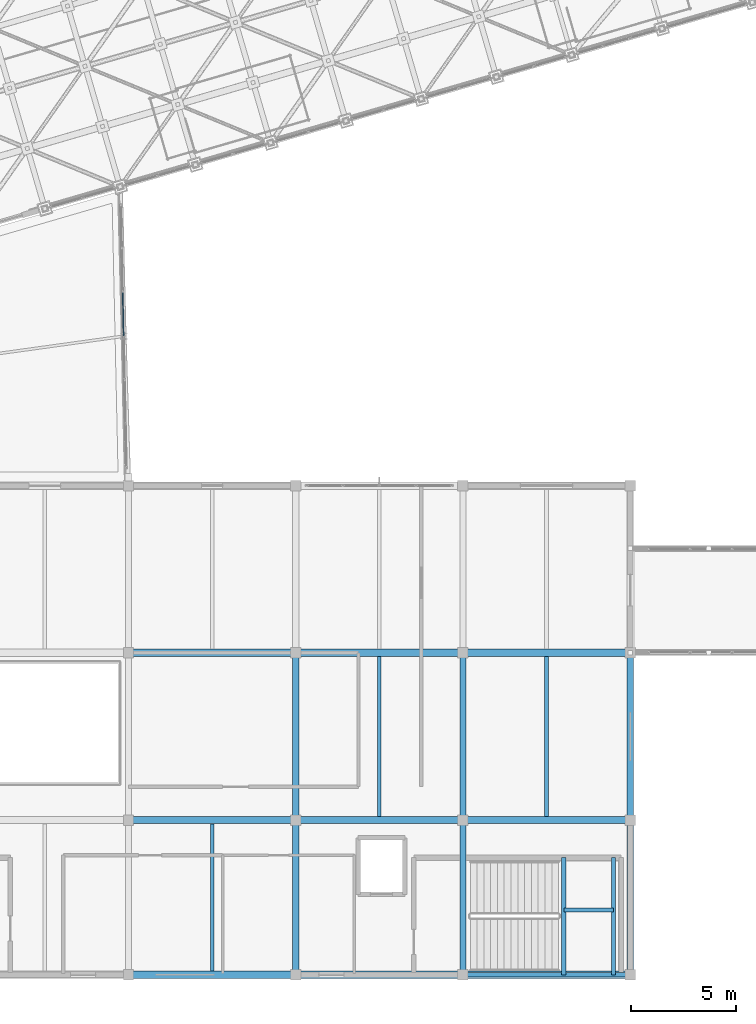
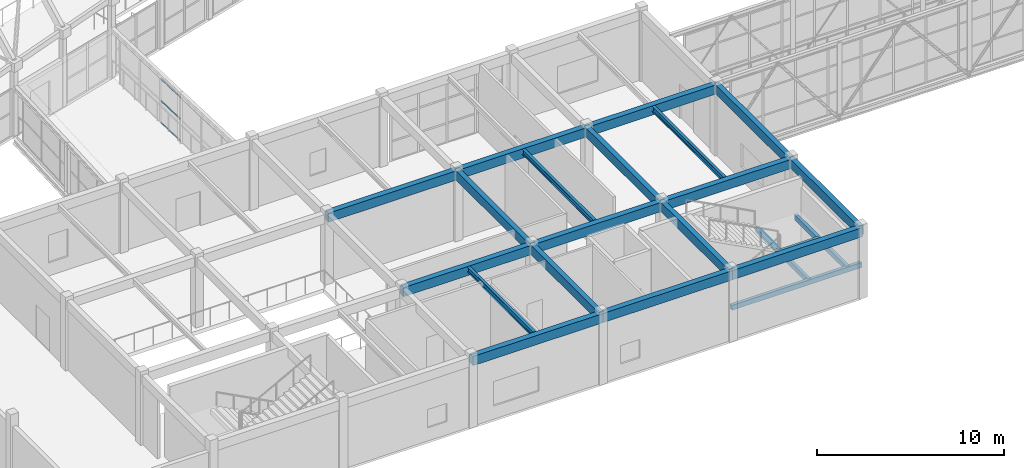
# One storey, part 22 of 248: 22 beams, 3 members, 1 element without a shape of its own.
"""IFC4 building model written with IfcOpenShell, lengths in metres."""

from ifc_helpers import new_model, si_unit, direction, frame, origin, origin_2d, place, context, subcontext, project, spatial, rectangle, hollow_rectangle, i_section, extrude, material, layer, layer_set, material_profile, profile_set, type_object, element, aggregate, save


model = new_model("IFC4")

# Units and contexts
model_context = context("Model", 3, precision=1e-05, world=origin(), true_north=direction((0.0, 1.0)))
body_context = subcontext(model_context, "Body", "Model", "MODEL_VIEW")
ifc_project = project(units=[si_unit("LENGTHUNIT", "METRE"), si_unit("AREAUNIT", "SQUARE_METRE"), si_unit("VOLUMEUNIT", "CUBIC_METRE"), si_unit("PLANEANGLEUNIT", "RADIAN"), si_unit("MASSUNIT", "GRAM", prefix="KILO")], contexts=[model_context])

# Site, building, storey
site_placement = place(None, origin())
site = spatial("IfcSite", under=ifc_project, at=site_placement, CompositionType="ELEMENT")
building_placement = place(site_placement, origin())
building = spatial("IfcBuilding", under=site, at=building_placement, Name="Canggui Botanical Conservatory", CompositionType="ELEMENT")
storey_placement = place(building_placement, frame((0.0, 0.0, 5.39990234375)))
storey = spatial("IfcBuildingStorey", under=building, at=storey_placement, Name="L02", CompositionType="ELEMENT", Elevation=5.39990234375)

# Beams
ifc_material_1 = material(Name="Steel Q355B", Category="steel")
ifc_material_profile_1 = material_profile(ifc_material_1, i_section(OverallWidth=0.175048828125, OverallDepth=0.35009765625, WebThickness=0.007080078125, FlangeThickness=0.010986328125, FilletRadius=0.013916015625, at=origin_2d()), Name="HN 350x175x7x11")
ifc_profile_set_1 = profile_set([ifc_material_profile_1], Name="Steel Q355B")
beam_type_1 = type_object("IfcBeamType", Name="BM-JST07", PredefinedType="JOIST", material=ifc_profile_set_1)
beam_1_placement = place(storey_placement, frame((46.0, 10.780029296875, 4.385009765625), z_axis=(0.0, 1.0, 0.0), x_axis=(-1.0, 0.0, 0.0)))
element("IfcBeam", 1, at=beam_1_placement, inside=storey, type_object=beam_type_1, Name="Visitor Composite Steel Joist L02-3-1", PredefinedType="JOIST", context=body_context, shape_type="SweptSolid", body=[
    extrude(i_section(OverallWidth=0.175048828125, OverallDepth=0.35009765625, WebThickness=0.007080078125, FlangeThickness=0.010986328125, FilletRadius=0.013916015625, at=origin_2d()), origin(), (0.0, 0.0, 1.0), 7.0400390625),
])
for number, where, z_axis, x_axis, name in (
    (2, (54.0, 18.179931640625, 4.385009765625), (0.0, 1.0, 0.0), (-1.0, 0.0, 0.0), "Visitor Composite Steel Joist L02-4-2"),
    (3, (62.0, 18.179931640625, 4.385009765625), (0.0, 1.0, 0.0), (-1.0, 0.0, 0.0), "Visitor Composite Steel Joist L02-5-2"),
):
    element("IfcBeam", number, at=place(storey_placement, frame(where, z_axis=z_axis, x_axis=x_axis)), inside=storey, type_object=beam_type_1, Name=name, PredefinedType="JOIST", context=body_context, shape_type="SweptSolid", body=[
        extrude(i_section(OverallWidth=0.175048828125, OverallDepth=0.35009765625, WebThickness=0.007080078125, FlangeThickness=0.010986328125, FilletRadius=0.013916015625, at=origin_2d()), origin(), (0.0, 0.0, 1.0), 7.64013671875),
    ])
ifc_material_2 = material(Name="Concrete C35", Category="concrete")
ifc_material_profile_2 = material_profile(ifc_material_2, rectangle(XDim=0.35009765625, YDim=0.60009765625, at=origin_2d()), Name="RB 350x600")
ifc_profile_set_2 = profile_set([ifc_material_profile_2], Name="Concrete C35")
beam_type_2 = type_object("IfcBeamType", Name="BM-KL19", PredefinedType="BEAM", material=ifc_profile_set_2)
for number, where, z_axis, x_axis, name in (
    (4, (42.0, 10.60009765625, 4.260009765625), (1.0, 0.0, 0.0), (0.0, 1.0, 0.0), "Visitor Girder L02 Y10-3"),
    (5, (50.0, 10.60009765625, 4.260009765625), (1.0, 0.0, 0.0), (0.0, 1.0, 0.0), "Visitor Girder L02 Y10-4"),
    (6, (58.0, 10.60009765625, 4.260009765625), (1.0, 0.0, 0.0), (0.0, 1.0, 0.0), "Visitor Girder L02 Y10-5"),
    (7, (42.0, 18.0, 4.260009765625), (1.0, 0.0, 0.0), (0.0, 1.0, 0.0), "Visitor Girder L02 Y18-3"),
    (8, (50.0, 18.0, 4.260009765625), (1.0, 0.0, 0.0), (0.0, 1.0, 0.0), "Visitor Girder L02 Y18-4"),
    (9, (58.0, 18.0, 4.260009765625), (1.0, 0.0, 0.0), (0.0, 1.0, 0.0), "Visitor Girder L02 Y18-5"),
    (10, (42.0, 26.0, 4.260009765625), (1.0, 0.0, 0.0), (0.0, 1.0, 0.0), "Visitor Girder L02 Y26-3"),
    (11, (50.0, 26.0, 4.260009765625), (1.0, 0.0, 0.0), (0.0, 1.0, 0.0), "Visitor Girder L02 Y26-4"),
    (12, (58.0, 26.0, 4.260009765625), (1.0, 0.0, 0.0), (0.0, 1.0, 0.0), "Visitor Girder L02 Y26-5"),
):
    element("IfcBeam", number, at=place(storey_placement, frame(where, z_axis=z_axis, x_axis=x_axis)), inside=storey, type_object=beam_type_2, Name=name, PredefinedType="BEAM", context=body_context, shape_type="SweptSolid", body=[
        extrude(rectangle(XDim=0.35009765625, YDim=0.60009765625, at=origin_2d()), origin(), (0.0, 0.0, 1.0), 8.0),
    ])
ifc_material_profile_3 = material_profile(ifc_material_2, rectangle(XDim=0.300048828125, YDim=0.60009765625, at=origin_2d()), Name="RB 300x600")
ifc_profile_set_3 = profile_set([ifc_material_profile_3], Name="Concrete C35")
beam_type_3 = type_object("IfcBeamType", Name="BM-KL23", PredefinedType="BEAM", material=ifc_profile_set_3)
beam_2_placement = place(storey_placement, frame((50.0, 10.60009765625, 4.260009765625), z_axis=(0.0, 1.0, 0.0), x_axis=(-1.0, 0.0, 0.0)))
element("IfcBeam", 13, at=beam_2_placement, inside=storey, type_object=beam_type_3, Name="Visitor Girder L02 X50-1", PredefinedType="BEAM", context=body_context, shape_type="SweptSolid", body=[
    extrude(rectangle(XDim=0.300048828125, YDim=0.60009765625, at=origin_2d()), origin(), (0.0, 0.0, 1.0), 7.39990234375),
])
beam_3_placement = place(storey_placement, frame((50.0, 18.0, 4.260009765625), z_axis=(0.0, 1.0, 0.0), x_axis=(-1.0, 0.0, 0.0)))
element("IfcBeam", 14, at=beam_3_placement, inside=storey, type_object=beam_type_3, Name="Visitor Girder L02 X50-2", PredefinedType="BEAM", context=body_context, shape_type="SweptSolid", body=[
    extrude(rectangle(XDim=0.300048828125, YDim=0.60009765625, at=origin_2d()), origin(), (0.0, 0.0, 1.0), 8.0),
])
beam_4_placement = place(storey_placement, frame((58.0, 10.60009765625, 4.260009765625), z_axis=(0.0, 1.0, 0.0), x_axis=(-1.0, 0.0, 0.0)))
element("IfcBeam", 15, at=beam_4_placement, inside=storey, type_object=beam_type_3, Name="Visitor Girder L02 X58-1", PredefinedType="BEAM", context=body_context, shape_type="SweptSolid", body=[
    extrude(rectangle(XDim=0.300048828125, YDim=0.60009765625, at=origin_2d()), origin(), (0.0, 0.0, 1.0), 7.39990234375),
])
beam_5_placement = place(storey_placement, frame((58.0, 18.0, 4.260009765625), z_axis=(0.0, 1.0, 0.0), x_axis=(-1.0, 0.0, 0.0)))
element("IfcBeam", 16, at=beam_5_placement, inside=storey, type_object=beam_type_3, Name="Visitor Girder L02 X58-2", PredefinedType="BEAM", context=body_context, shape_type="SweptSolid", body=[
    extrude(rectangle(XDim=0.300048828125, YDim=0.60009765625, at=origin_2d()), origin(), (0.0, 0.0, 1.0), 8.0),
])
beam_6_placement = place(storey_placement, frame((66.0, 10.60009765625, 4.260009765625), z_axis=(0.0, 1.0, 0.0), x_axis=(-1.0, 0.0, 0.0)))
element("IfcBeam", 17, at=beam_6_placement, inside=storey, type_object=beam_type_3, Name="Visitor Girder L02 X66-1", PredefinedType="BEAM", context=body_context, shape_type="SweptSolid", body=[
    extrude(rectangle(XDim=0.300048828125, YDim=0.60009765625, at=origin_2d()), origin(), (0.0, 0.0, 1.0), 7.39990234375),
])
beam_7_placement = place(storey_placement, frame((66.0, 18.0, 4.260009765625), z_axis=(0.0, 1.0, 0.0), x_axis=(-1.0, 0.0, 0.0)))
element("IfcBeam", 18, at=beam_7_placement, inside=storey, type_object=beam_type_3, Name="Visitor Girder L02 X66-2", PredefinedType="BEAM", context=body_context, shape_type="SweptSolid", body=[
    extrude(rectangle(XDim=0.300048828125, YDim=0.60009765625, at=origin_2d()), origin(), (0.0, 0.0, 1.0), 8.0),
])
ifc_material_profile_4 = material_profile(ifc_material_2, rectangle(XDim=0.199951171875, YDim=0.320068359375, at=origin_2d()), Name="RB 200x320")
ifc_profile_set_4 = profile_set([ifc_material_profile_4], Name="Concrete C35")
beam_type_4 = type_object("IfcBeamType", Name="BM-LIN02", PredefinedType="LINTEL", material=ifc_profile_set_4)
beam_8_placement = place(storey_placement, frame((58.0, 10.60009765625, 2.080078125), z_axis=(1.0, 0.0, 0.0), x_axis=(0.0, 1.0, 0.0)))
element("IfcBeam", 19, at=beam_8_placement, inside=storey, type_object=beam_type_4, Name="ST-V1 Landing Header South L02", PredefinedType="LINTEL", context=body_context, shape_type="SweptSolid", body=[
    extrude(rectangle(XDim=0.199951171875, YDim=0.320068359375, at=origin_2d()), origin(), (0.0, 0.0, 1.0), 8.0),
])
for number, where, z_axis, x_axis, name in (
    (20, (62.824462890625, 10.60009765625, 2.080078125), (0.0, 1.0, 0.0), (-1.0, 0.0, 0.0), "ST-V1 Landing Trimmer 1 L02"),
    (21, (65.199951171875, 10.60009765625, 2.080078125), (0.0, 1.0, 0.0), (-1.0, 0.0, 0.0), "ST-V1 Landing Trimmer 2 L02"),
):
    element("IfcBeam", number, at=place(storey_placement, frame(where, z_axis=z_axis, x_axis=x_axis)), inside=storey, type_object=beam_type_4, Name=name, PredefinedType="LINTEL", context=body_context, shape_type="SweptSolid", body=[
        extrude(rectangle(XDim=0.199951171875, YDim=0.320068359375, at=origin_2d()), origin(), (0.0, 0.0, 1.0), 5.599853515625),
    ])
beam_9_placement = place(storey_placement, frame((62.824462890625, 13.699951171875, 2.080078125), z_axis=(1.0, 0.0, 0.0), x_axis=(0.0, 1.0, 0.0)))
element("IfcBeam", 22, at=beam_9_placement, inside=storey, type_object=beam_type_4, Name="ST-V1 Landing Cross Tie L02", PredefinedType="LINTEL", context=body_context, shape_type="SweptSolid", body=[
    extrude(rectangle(XDim=0.199951171875, YDim=0.320068359375, at=origin_2d()), origin(), (0.0, 0.0, 1.0), 2.37548828125),
])

# Curtain wall, members
ifc_material_3 = material(Name="Thermally Broken Aluminium", Category="aluminium")
ifc_layer = layer(ifc_material_3, 0.1201171875, Name="Thermally Broken Aluminium", Category="aluminium")
ifc_layer_set = layer_set([ifc_layer], Name="Thermally Broken Aluminium")
curtain_wall_type = type_object("IfcCurtainWallType", Name="CW-STICK-B", PredefinedType="USERDEFINED", material=ifc_layer_set)
curtain_wall_placement = place(storey_placement, origin())
curtain_wall = element("IfcCurtainWall", 23, at=curtain_wall_placement, inside=storey, type_object=curtain_wall_type, Name="Facade Curtain Wall CW-SB-02-2", ObjectType="STICK GLAZED WALL", PredefinedType="USERDEFINED")
ifc_material_profile_5 = material_profile(ifc_material_3, hollow_rectangle(XDim=0.044921875, YDim=0.090087890625, WallThickness=0.0029296875, at=origin_2d()), Name="CWT 45x90x3")
ifc_profile_set_5 = profile_set([ifc_material_profile_5], Name="Thermally Broken Aluminium")
member_type = type_object("IfcMemberType", Name="CWT-05", PredefinedType="USERDEFINED", material=ifc_profile_set_5)
member_1_placement = place(storey_placement, frame((41.767333984375, 41.1806640625, 0.022705078125), z_axis=(-0.021827296753, 0.999761756178, 0.0), x_axis=(-0.999761756178, -0.021827296753, 0.0)))
member_1 = element("IfcMember", 24, at=member_1_placement, type_object=member_type, Name="CW-05 transom 4.1", ObjectType="TRANSOM", PredefinedType="USERDEFINED", context=body_context, shape_type="SweptSolid", body=[
    extrude(hollow_rectangle(XDim=0.044921875, YDim=0.090087890625, WallThickness=0.0029296875, at=origin_2d()), origin(), (0.0, 0.0, 1.0), 2.046875),
])
member_2_placement = place(storey_placement, frame((41.767333984375, 41.1806640625, 1.4501953125), z_axis=(-0.021827296753, 0.999761756178, 0.0), x_axis=(-0.999761756178, -0.021827296753, 0.0)))
member_2 = element("IfcMember", 25, at=member_2_placement, type_object=member_type, Name="CW-05 transom 4.2", ObjectType="TRANSOM", PredefinedType="USERDEFINED", context=body_context, shape_type="SweptSolid", body=[
    extrude(hollow_rectangle(XDim=0.044921875, YDim=0.090087890625, WallThickness=0.0029296875, at=origin_2d()), origin(), (0.0, 0.0, 1.0), 2.046875),
])
member_3_placement = place(storey_placement, frame((41.767333984375, 41.1806640625, 2.877685546875), z_axis=(-0.021827296753, 0.999761756178, 0.0), x_axis=(-0.999761756178, -0.021827296753, 0.0)))
member_3 = element("IfcMember", 26, at=member_3_placement, type_object=member_type, Name="CW-05 transom 4.3", ObjectType="TRANSOM", PredefinedType="USERDEFINED", context=body_context, shape_type="SweptSolid", body=[
    extrude(hollow_rectangle(XDim=0.044921875, YDim=0.090087890625, WallThickness=0.0029296875, at=origin_2d()), origin(), (0.0, 0.0, 1.0), 2.046875),
])
aggregate(curtain_wall, [member_1, member_2, member_3])

save(model, "model.ifc")
